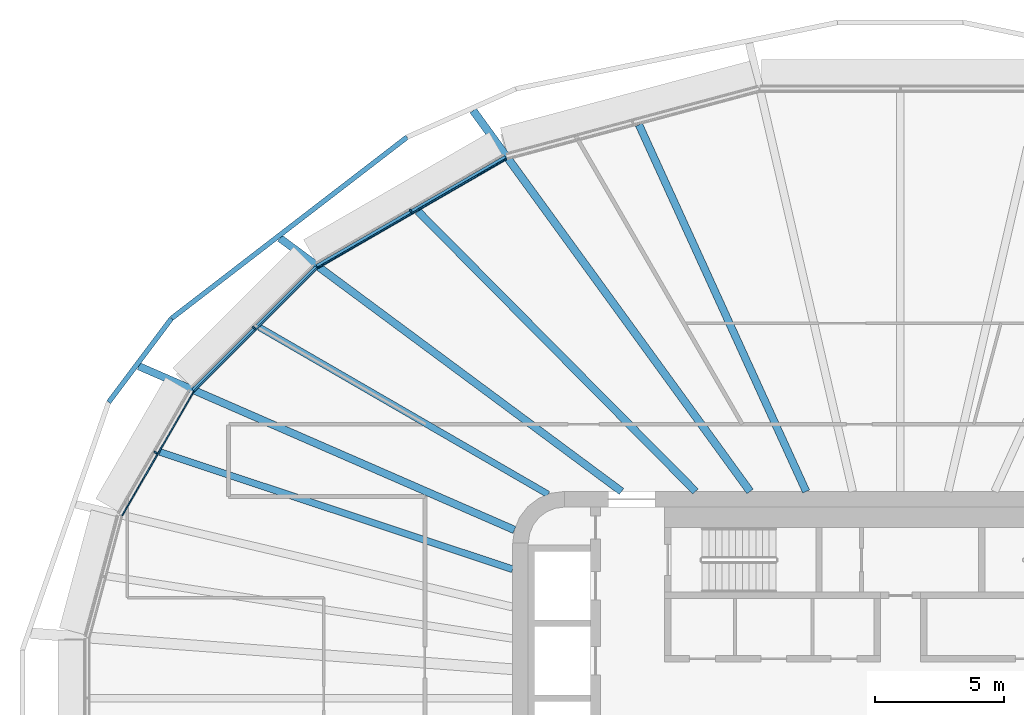
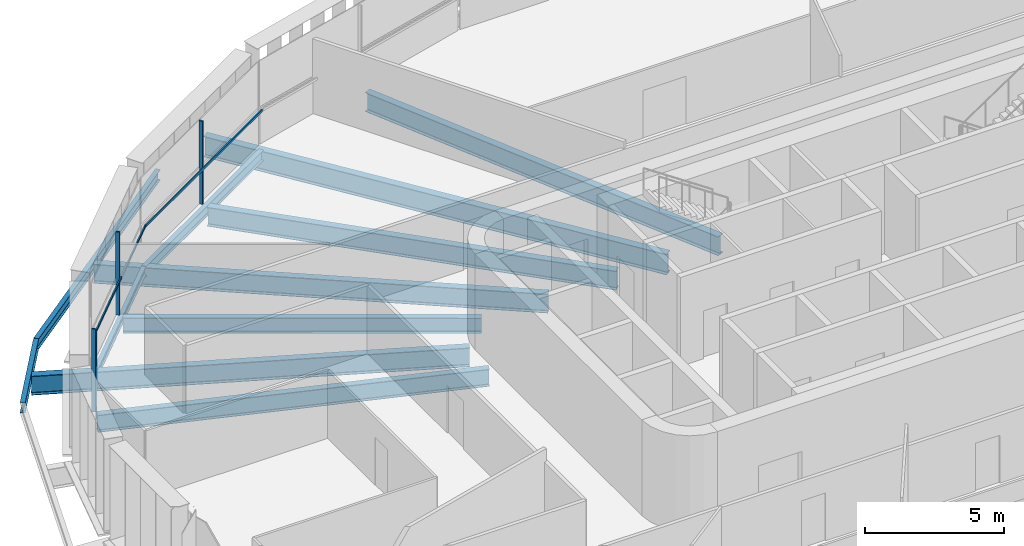
# One storey, part 7 of 25: 11 beams, 6 members, 3 elements without a shape of their own.
"""IFC4 building model written with IfcOpenShell, lengths in metres."""

from ifc_helpers import new_model, si_unit, direction, frame, origin, origin_2d, place, context, subcontext, project, spatial, rectangle, i_section, extrude, material, layer, layer_set, material_profile, profile_set, type_object, element, aggregate, save


model = new_model("IFC4")

# Units and contexts
model_context = context("Model", 3, precision=1e-05, world=origin(), true_north=direction((0.0, 1.0)))
body_context = subcontext(model_context, "Body", "Model", "MODEL_VIEW")
ifc_project = project(units=[si_unit("LENGTHUNIT", "METRE"), si_unit("AREAUNIT", "SQUARE_METRE"), si_unit("VOLUMEUNIT", "CUBIC_METRE"), si_unit("PLANEANGLEUNIT", "RADIAN"), si_unit("MASSUNIT", "GRAM", prefix="KILO")], contexts=[model_context])

# Site, building, storey
site_placement = place(None, origin())
site = spatial("IfcSite", under=ifc_project, at=site_placement, CompositionType="ELEMENT")
building_placement = place(site_placement, origin())
building = spatial("IfcBuilding", under=site, at=building_placement, Name="Sahrelin Media Tower", CompositionType="ELEMENT")
storey_placement = place(building_placement, frame((0.0, 0.0, 144.0)))
storey = spatial("IfcBuildingStorey", under=building, at=storey_placement, Name="L29", CompositionType="ELEMENT", Elevation=144.0)

# Beams
ifc_material_1 = material(Name="Steel S355", Category="steel")
ifc_material_profile_1 = material_profile(ifc_material_1, i_section(OverallWidth=0.17138671875, OverallDepth=0.35498046875, WebThickness=0.00732421875, FlangeThickness=0.011474609375, FilletRadius=0.01025390625, at=origin_2d()), Name="UB 356x171x51")
ifc_profile_set_1 = profile_set([ifc_material_profile_1], Name="Steel S355")
beam_type_1 = type_object("IfcBeamType", Name="Edge beam EB3", PredefinedType="BEAM", material=ifc_profile_set_1)
beam_1_placement = place(storey_placement, frame((-27.36474609375, 11.903564453125, -0.327392578125), z_axis=(0.707106781187, 0.707106781187, 0.0), x_axis=(-0.707106781187, 0.707106781187, 0.0)))
element("IfcBeam", 1, at=beam_1_placement, inside=storey, type_object=beam_type_1, Name="Edge beam L29-16", PredefinedType="BEAM", context=body_context, shape_type="SweptSolid", body=[
    extrude(i_section(OverallWidth=0.17138671875, OverallDepth=0.35498046875, WebThickness=0.00732421875, FlangeThickness=0.011474609375, FilletRadius=0.01025390625, at=origin_2d()), origin(), (0.0, 0.0, 1.0), 6.751953125),
])
ifc_material_profile_2 = material_profile(ifc_material_1, i_section(OverallWidth=0.1904296875, OverallDepth=0.45703125, WebThickness=0.009033203125, FlangeThickness=0.014404296875, FilletRadius=0.01025390625, at=origin_2d()), Name="UB 457x191x74")
ifc_profile_set_2 = profile_set([ifc_material_profile_2], Name="Steel S355")
beam_type_2 = type_object("IfcBeamType", Name="Edge beam EB5", PredefinedType="BEAM", material=ifc_profile_set_2)
beam_2_placement = place(storey_placement, frame((-22.5673828125, 16.695556640625, -0.37841796875), z_axis=(0.866028896434, 0.499993950504, 0.0), x_axis=(-0.499993950504, 0.866028896434, 0.0)))
element("IfcBeam", 2, at=beam_2_placement, inside=storey, type_object=beam_type_2, Name="Edge beam L29-17", PredefinedType="BEAM", context=body_context, shape_type="SweptSolid", body=[
    extrude(i_section(OverallWidth=0.1904296875, OverallDepth=0.45703125, WebThickness=0.009033203125, FlangeThickness=0.014404296875, FilletRadius=0.01025390625, at=origin_2d()), origin(), (0.0, 0.0, 1.0), 8.4326171875),
])

# Curtain wall, member
ifc_material_2 = material(Name="Champagne anodised aluminium 6063-T6", Category="aluminium")
ifc_layer = layer(ifc_material_2, 0.14990234375)
ifc_layer_set = layer_set([ifc_layer], Name="Tower ribbon curtain wall")
curtain_wall_type = type_object("IfcCurtainWallType", Name="Tower ribbon curtain wall", PredefinedType="NOTDEFINED", material=ifc_layer_set)
curtain_wall_1_placement = place(storey_placement, frame((-18.990966796875, 18.93359375, 0.0), z_axis=(0.0, 0.0, 1.0), x_axis=(1.0, 0.0, 0.0)))
curtain_wall_1 = element("IfcCurtainWall", 3, at=curtain_wall_1_placement, inside=storey, type_object=curtain_wall_type, Name="L29:CW:L29-08", PredefinedType="NOTDEFINED")
ifc_material_profile_3 = material_profile(ifc_material_2, rectangle(XDim=0.06005859375, YDim=0.14990234375, at=origin_2d()), Name="Mullion 60x150")
ifc_profile_set_3 = profile_set([ifc_material_profile_3], Name="Champagne anodised aluminium 6063-T6")
member_type_1 = type_object("IfcMemberType", Name="Mullion 60x150 CW1", PredefinedType="MULLION", material=ifc_profile_set_3)
member_1_placement = place(storey_placement, frame((-18.943603515625, 18.851318359375, 0.0), z_axis=(0.0, 0.0, 1.0), x_axis=(-0.866027149108, -0.499996976998, 0.0)))
member_1 = element("IfcMember", 4, at=member_1_placement, type_object=member_type_1, Name="L29:CWM:L29-08", PredefinedType="MULLION", context=body_context, shape_type="SweptSolid", body=[
    extrude(rectangle(XDim=0.06005859375, YDim=0.14990234375, at=origin_2d()), origin(), (0.0, 0.0, 1.0), 3.648681640625),
])

curtain_wall_2_placement = place(storey_placement, frame((-25.08349609375, 14.396728515625, 0.0), z_axis=(0.0, 0.0, 1.0), x_axis=(1.0, 0.0, 0.0)))
curtain_wall_2 = element("IfcCurtainWall", 5, at=curtain_wall_2_placement, inside=storey, type_object=curtain_wall_type, Name="L29:CW:L29-09", PredefinedType="NOTDEFINED")
member_2_placement = place(storey_placement, frame((-25.016357421875, 14.32958984375, 0.0), z_axis=(0.0, 0.0, 1.0), x_axis=(-0.707106781187, -0.707106781187, 0.0)))
member_2 = element("IfcMember", 6, at=member_2_placement, type_object=member_type_1, Name="L29:CWM:L29-09", PredefinedType="MULLION", context=body_context, shape_type="SweptSolid", body=[
    extrude(rectangle(XDim=0.06005859375, YDim=0.14990234375, at=origin_2d()), origin(), (0.0, 0.0, 1.0), 3.648681640625),
])

curtain_wall_3_placement = place(storey_placement, frame((-28.8984375, 9.5546875, 0.0), z_axis=(0.0, 0.0, 1.0), x_axis=(1.0, 0.0, 0.0)))
curtain_wall_3 = element("IfcCurtainWall", 7, at=curtain_wall_3_placement, inside=storey, type_object=curtain_wall_type, Name="L29:CW:L29-10", PredefinedType="NOTDEFINED")
member_3_placement = place(storey_placement, frame((-28.816162109375, 9.507080078125, 0.0), z_axis=(0.0, 0.0, 1.0), x_axis=(-0.49999395399, -0.866028894422, 0.0)))
member_3 = element("IfcMember", 8, at=member_3_placement, type_object=member_type_1, Name="L29:CWM:L29-10", PredefinedType="MULLION", context=body_context, shape_type="SweptSolid", body=[
    extrude(rectangle(XDim=0.06005859375, YDim=0.14990234375, at=origin_2d()), origin(), (0.0, 0.0, 1.0), 3.648681640625),
])

# Beams
ifc_material_profile_4 = material_profile(ifc_material_1, i_section(OverallWidth=0.291748046875, OverallDepth=0.8349609375, WebThickness=0.013916015625, FlangeThickness=0.018798828125, FilletRadius=0.017822265625, at=origin_2d()), Name="UB 838x292x176")
ifc_profile_set_4 = profile_set([ifc_material_profile_4], Name="Steel S355")
beam_type_3 = type_object("IfcBeamType", Name="Radial primary beam PB10", PredefinedType="BEAM", material=ifc_profile_set_4)
beam_3_placement = place(storey_placement, frame((-10.791015625, 8.0, -0.5673828125), z_axis=(-0.803315320736, 0.595553940017, 0.0), x_axis=(-0.595553940017, -0.803315320736, 0.0)))
element("IfcBeam", 9, at=beam_3_placement, inside=storey, type_object=beam_type_3, Name="Radial beam L29-09", PredefinedType="BEAM", context=body_context, shape_type="SweptSolid", body=[
    extrude(i_section(OverallWidth=0.291748046875, OverallDepth=0.8349609375, WebThickness=0.013916015625, FlangeThickness=0.018798828125, FilletRadius=0.017822265625, at=origin_2d()), origin(), (0.0, 0.0, 1.0), 16.454833984375),
])
beam_4_placement = place(storey_placement, frame((-14.93310546875, 6.509521484375, -0.5673828125), z_axis=(-0.916695386273, 0.399586747509, 0.0), x_axis=(-0.399586747509, -0.916695386273, 0.0)))
element("IfcBeam", 10, at=beam_4_placement, inside=storey, type_object=beam_type_3, Name="Radial beam L29-10", PredefinedType="BEAM", context=body_context, shape_type="SweptSolid", body=[
    extrude(i_section(OverallWidth=0.291748046875, OverallDepth=0.8349609375, WebThickness=0.013916015625, FlangeThickness=0.018798828125, FilletRadius=0.017822265625, at=origin_2d()), origin(), (0.0, 0.0, 1.0), 15.85693359375),
])
ifc_material_profile_5 = material_profile(ifc_material_1, i_section(OverallWidth=0.30322265625, OverallDepth=0.903076171875, WebThickness=0.01513671875, FlangeThickness=0.020263671875, FilletRadius=0.01904296875, at=origin_2d()), Name="UB 914x305x201")
ifc_profile_set_5 = profile_set([ifc_material_profile_5], Name="Steel S355")
beam_type_4 = type_object("IfcBeamType", Name="Radial primary beam PB11", PredefinedType="BEAM", material=ifc_profile_set_5)
beam_5_placement = place(storey_placement, frame((-5.81591796875, 8.0, -0.6015625), z_axis=(-0.588034674596, 0.808835719707, 0.0), x_axis=(-0.808835719707, -0.588034674596, 0.0)))
element("IfcBeam", 11, at=beam_5_placement, inside=storey, type_object=beam_type_4, Name="Radial beam L29-08", PredefinedType="BEAM", context=body_context, shape_type="SweptSolid", body=[
    extrude(i_section(OverallWidth=0.30322265625, OverallDepth=0.903076171875, WebThickness=0.01513671875, FlangeThickness=0.020263671875, FilletRadius=0.01904296875, at=origin_2d()), origin(), (0.0, 0.0, 1.0), 18.22314453125),
])
ifc_material_profile_6 = material_profile(ifc_material_1, i_section(OverallWidth=0.291748046875, OverallDepth=0.8349609375, WebThickness=0.013916015625, FlangeThickness=0.018798828125, FilletRadius=0.017822265625, at=origin_2d()), Name="UB 838x292x176")
ifc_profile_set_6 = profile_set([ifc_material_profile_6], Name="Steel S355")
beam_type_5 = type_object("IfcBeamType", Name="Radial secondary beam SB10", PredefinedType="BEAM", material=ifc_profile_set_6)
beam_6_placement = place(storey_placement, frame((-3.64697265625, 8.0, -0.5673828125), z_axis=(-0.414807797457, 0.909909056538, 0.0), x_axis=(-0.909909056538, -0.414807797457, 0.0)))
element("IfcBeam", 12, at=beam_6_placement, inside=storey, type_object=beam_type_5, Name="Secondary beam L29-07", PredefinedType="BEAM", context=body_context, shape_type="SweptSolid", body=[
    extrude(i_section(OverallWidth=0.291748046875, OverallDepth=0.8349609375, WebThickness=0.013916015625, FlangeThickness=0.018798828125, FilletRadius=0.017822265625, at=origin_2d()), origin(), (0.0, 0.0, 1.0), 15.59228515625),
])
beam_7_placement = place(storey_placement, frame((-7.92578125, 8.0, -0.5673828125), z_axis=(-0.703794822352, 0.710403299563, 0.0), x_axis=(-0.710403299563, -0.703794822352, 0.0)))
element("IfcBeam", 13, at=beam_7_placement, inside=storey, type_object=beam_type_5, Name="Secondary beam L29-08", PredefinedType="BEAM", context=body_context, shape_type="SweptSolid", body=[
    extrude(i_section(OverallWidth=0.291748046875, OverallDepth=0.8349609375, WebThickness=0.013916015625, FlangeThickness=0.018798828125, FilletRadius=0.017822265625, at=origin_2d()), origin(), (0.0, 0.0, 1.0), 15.257568359375),
])
ifc_material_profile_7 = material_profile(ifc_material_1, i_section(OverallWidth=0.2529296875, OverallDepth=0.677978515625, WebThickness=0.01171875, FlangeThickness=0.01611328125, FilletRadius=0.01513671875, at=origin_2d()), Name="UB 686x254x125")
ifc_profile_set_7 = profile_set([ifc_material_profile_7], Name="Steel S355")
beam_type_6 = type_object("IfcBeamType", Name="Radial secondary beam SB8", PredefinedType="BEAM", material=ifc_profile_set_7)
beam_8_placement = place(storey_placement, frame((-13.62939453125, 7.885498046875, -0.489013671875), z_axis=(-0.865569164292, 0.500789398676, 0.0), x_axis=(-0.500789398676, -0.865569164292, 0.0)))
element("IfcBeam", 14, at=beam_8_placement, inside=storey, type_object=beam_type_6, Name="Secondary beam L29-09", PredefinedType="BEAM", context=body_context, shape_type="SweptSolid", body=[
    extrude(i_section(OverallWidth=0.2529296875, OverallDepth=0.677978515625, WebThickness=0.01171875, FlangeThickness=0.01611328125, FilletRadius=0.01513671875, at=origin_2d()), origin(), (0.0, 0.0, 1.0), 12.904541015625),
])
ifc_material_profile_8 = material_profile(ifc_material_1, i_section(OverallWidth=0.26513671875, OverallDepth=0.75390625, WebThickness=0.0126953125, FlangeThickness=0.017578125, FilletRadius=0.0166015625, at=origin_2d()), Name="UB 762x267x147")
ifc_profile_set_8 = profile_set([ifc_material_profile_8], Name="Steel S355")
beam_type_7 = type_object("IfcBeamType", Name="Radial secondary beam SB9", PredefinedType="BEAM", material=ifc_profile_set_8)
beam_9_placement = place(storey_placement, frame((-15.0, 4.9873046875, -0.527099609375), z_axis=(-0.948922383089, 0.315509605039, 0.0), x_axis=(-0.315509605039, -0.948922383089, 0.0)))
element("IfcBeam", 15, at=beam_9_placement, inside=storey, type_object=beam_type_7, Name="Secondary beam L29-10", PredefinedType="BEAM", context=body_context, shape_type="SweptSolid", body=[
    extrude(i_section(OverallWidth=0.26513671875, OverallDepth=0.75390625, WebThickness=0.0126953125, FlangeThickness=0.017578125, FilletRadius=0.0166015625, at=origin_2d()), origin(), (0.0, 0.0, 1.0), 14.3818359375),
])
ifc_material_profile_9 = material_profile(ifc_material_1, i_section(OverallWidth=0.1904296875, OverallDepth=0.45703125, WebThickness=0.009033203125, FlangeThickness=0.014404296875, FilletRadius=0.01025390625, at=origin_2d()), Name="UB 457x191x74")
ifc_profile_set_9 = profile_set([ifc_material_profile_9], Name="Steel S355")
beam_type_8 = type_object("IfcBeamType", Name="Tie chord TC5", PredefinedType="BEAM", material=ifc_profile_set_9)
beam_10_placement = place(storey_placement, frame((-19.088623046875, 21.70751953125, -0.37841796875), z_axis=(-0.792440876725, -0.609948733005, 0.0), x_axis=(0.609948733005, -0.792440876725, 0.0)))
element("IfcBeam", 16, at=beam_10_placement, inside=storey, type_object=beam_type_8, Name="Tie chord L29-09", PredefinedType="BEAM", context=body_context, shape_type="SweptSolid", body=[
    extrude(i_section(OverallWidth=0.1904296875, OverallDepth=0.45703125, WebThickness=0.009033203125, FlangeThickness=0.014404296875, FilletRadius=0.01025390625, at=origin_2d()), origin(), (0.0, 0.0, 1.0), 11.501220703125),
])
beam_11_placement = place(storey_placement, frame((-28.20263671875, 14.6923828125, -0.37841796875), z_axis=(-0.600077169797, -0.799942116836, 0.0), x_axis=(0.799942116836, -0.600077169797, 0.0)))
element("IfcBeam", 17, at=beam_11_placement, inside=storey, type_object=beam_type_8, Name="Tie chord L29-10", PredefinedType="BEAM", context=body_context, shape_type="SweptSolid", body=[
    extrude(i_section(OverallWidth=0.1904296875, OverallDepth=0.45703125, WebThickness=0.009033203125, FlangeThickness=0.014404296875, FilletRadius=0.01025390625, at=origin_2d()), origin(), (0.0, 0.0, 1.0), 4.04931640625),
])

# Member
ifc_material_profile_10 = material_profile(ifc_material_2, rectangle(XDim=0.050048828125, YDim=0.10009765625, at=origin_2d()), Name="Transom 50x100")
ifc_profile_set_10 = profile_set([ifc_material_profile_10], Name="Champagne anodised aluminium 6063-T6")
member_type_2 = type_object("IfcMemberType", Name="Transom 50x100 CW1", PredefinedType="USERDEFINED", material=ifc_profile_set_10)
member_4_placement = place(storey_placement, frame((-15.255615234375, 20.864990234375, 1.60009765625), z_axis=(-0.866020563817, -0.500008382975, 0.0), x_axis=(0.500008382975, -0.866020563817, 0.0)))
member_4 = element("IfcMember", 18, at=member_4_placement, type_object=member_type_2, Name="L29:CWT:L29-08", ObjectType="TRANSOM", PredefinedType="USERDEFINED", context=body_context, shape_type="SweptSolid", body=[
    extrude(rectangle(XDim=0.050048828125, YDim=0.10009765625, at=origin_2d()), origin(), (0.0, 0.0, 1.0), 8.401123046875),
])

aggregate(curtain_wall_1, [member_1, member_4])

member_5_placement = place(storey_placement, frame((-22.569580078125, 16.635009765625, 1.60009765625), z_axis=(-0.707106781187, -0.707106781187, 0.0), x_axis=(0.707106781187, -0.707106781187, 0.0)))
member_5 = element("IfcMember", 19, at=member_5_placement, type_object=member_type_2, Name="L29:CWT:L29-09", ObjectType="TRANSOM", PredefinedType="USERDEFINED", context=body_context, shape_type="SweptSolid", body=[
    extrude(rectangle(XDim=0.050048828125, YDim=0.10009765625, at=origin_2d()), origin(), (0.0, 0.0, 1.0), 6.720703125),
])

aggregate(curtain_wall_2, [member_2, member_5])

member_6_placement = place(storey_placement, frame((-27.35107421875, 11.844482421875, 1.60009765625), z_axis=(-0.500006091826, -0.866021886639, 0.0), x_axis=(0.866021886639, -0.500006091826, 0.0)))
member_6 = element("IfcMember", 20, at=member_6_placement, type_object=member_type_2, Name="L29:CWT:L29-10", ObjectType="TRANSOM", PredefinedType="USERDEFINED", context=body_context, shape_type="SweptSolid", body=[
    extrude(rectangle(XDim=0.050048828125, YDim=0.10009765625, at=origin_2d()), origin(), (0.0, 0.0, 1.0), 5.513671875),
])

aggregate(curtain_wall_3, [member_3, member_6])

save(model, "model.ifc")
